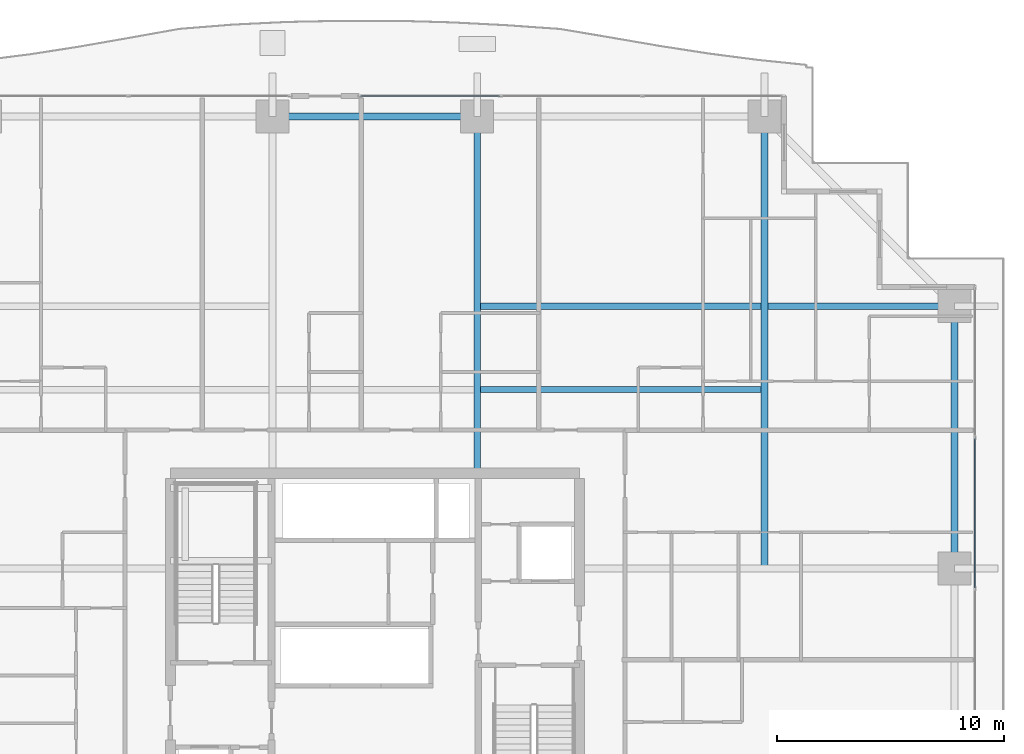
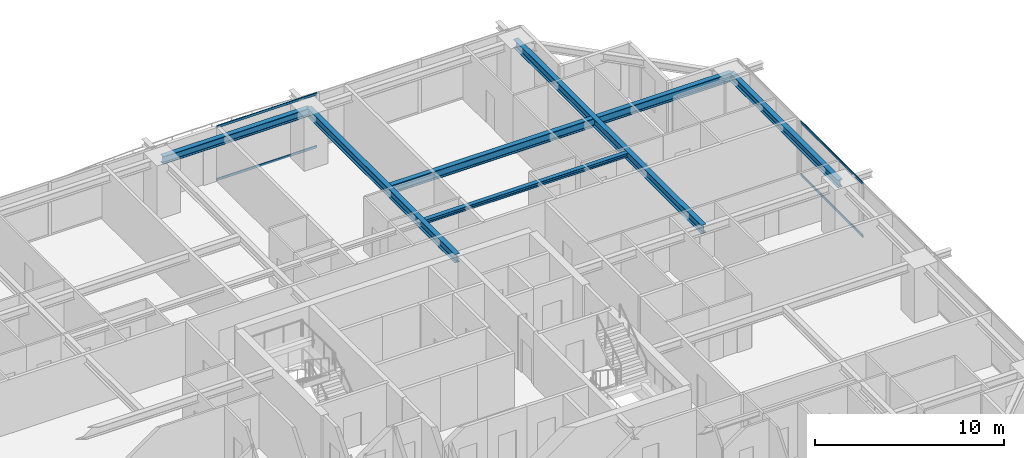
# One storey, part 18 of 34: 6 beams, 4 members, 2 elements without a shape of their own.
"""IFC4 building model written with IfcOpenShell, lengths in metres."""

from ifc_helpers import new_model, si_unit, direction, frame, origin, origin_2d, place, context, subcontext, project, spatial, hollow_rectangle, i_section, extrude, source, transform, mapped, material, layer, layer_set, material_profile, profile_set, type_object, element, aggregate, save


model = new_model("IFC4")

# Units and contexts
model_context = context("Model", 3, precision=1e-05, world=origin(), true_north=direction((0.0, 1.0)))
body_context = subcontext(model_context, "Body", "Model", "MODEL_VIEW")
ifc_project = project(units=[si_unit("LENGTHUNIT", "METRE"), si_unit("AREAUNIT", "SQUARE_METRE"), si_unit("VOLUMEUNIT", "CUBIC_METRE"), si_unit("PLANEANGLEUNIT", "RADIAN"), si_unit("MASSUNIT", "GRAM", prefix="KILO")], contexts=[model_context])

# Site, building, storey
site_placement = place(None, origin())
site = spatial("IfcSite", under=ifc_project, at=site_placement, CompositionType="ELEMENT")
building_placement = place(site_placement, origin())
building = spatial("IfcBuilding", under=site, at=building_placement, Name="Serunith Strait Residences", CompositionType="ELEMENT")
storey_placement = place(building_placement, frame((0.0, 0.0, 101.699951171875)))
storey = spatial("IfcBuildingStorey", under=building, at=storey_placement, Name="L25", CompositionType="ELEMENT", Elevation=101.699951171875)

# Beams
ifc_material_1 = material(Name="Steel S355J2", Category="steel")
ifc_material_profile_1 = material_profile(ifc_material_1, i_section(OverallWidth=0.300048828125, OverallDepth=0.550048828125, WebThickness=0.014892578125, FlangeThickness=0.029052734375, FilletRadius=0.027099609375, at=origin_2d()), Name="HEB 550")
ifc_profile_set_1 = profile_set([ifc_material_profile_1], Name="Steel S355J2")
beam_type_1 = type_object("IfcBeamType", Name="BM-HEB550", PredefinedType="BEAM", material=ifc_profile_set_1)
shared_shape_1 = source(origin(), body_context, "Body", "SweptSolid", [
    extrude(i_section(OverallWidth=0.300048828125, OverallDepth=0.550048828125, WebThickness=0.014892578125, FlangeThickness=0.029052734375, FilletRadius=0.027099609375, at=origin_2d()), origin(), (0.0, 0.0, 1.0), 15.699951171875),
])
beam_1_placement = place(storey_placement, frame((36.89990234375, 33.60009765625, 3.212158203125), z_axis=(0.0, 1.0, 0.0), x_axis=(-1.0, 0.0, 0.0)))
element("IfcBeam", 1, at=beam_1_placement, inside=storey, type_object=beam_type_1, Name="L25 Primary Floor Girder TC-N3", PredefinedType="BEAM", context=body_context, shape_type="MappedRepresentation", body=[
    mapped(shared_shape_1, transform((0.0, 0.0, 0.0), scale=1.0)),
])
shared_shape_2 = source(origin(), body_context, "Body", "SweptSolid", [
    extrude(i_section(OverallWidth=0.300048828125, OverallDepth=0.550048828125, WebThickness=0.014892578125, FlangeThickness=0.029052734375, FilletRadius=0.027099609375, at=origin_2d()), origin(), (0.0, 0.0, 1.0), 19.900146484375),
])
beam_2_placement = place(storey_placement, frame((49.550048828125, 29.39990234375, 3.212158203125), z_axis=(0.0, 1.0, 0.0), x_axis=(-1.0, 0.0, 0.0)))
element("IfcBeam", 2, at=beam_2_placement, inside=storey, type_object=beam_type_1, Name="L25 Orthogonal Corner Girder TC-N4", PredefinedType="BEAM", context=body_context, shape_type="MappedRepresentation", body=[
    mapped(shared_shape_2, transform((0.0, 0.0, 0.0), scale=1.0)),
])
shared_shape_3 = source(origin(), body_context, "Body", "SweptSolid", [
    extrude(i_section(OverallWidth=0.300048828125, OverallDepth=0.550048828125, WebThickness=0.014892578125, FlangeThickness=0.029052734375, FilletRadius=0.027099609375, at=origin_2d()), origin(), (0.0, 0.0, 1.0), 21.0),
])
beam_3_placement = place(storey_placement, frame((36.89990234375, 40.949951171875, 3.212158203125), z_axis=(1.0, 0.0, 0.0), x_axis=(0.0, 1.0, 0.0)))
element("IfcBeam", 3, at=beam_3_placement, inside=storey, type_object=beam_type_1, Name="L25 Orthogonal Corner Girder TC-E4", PredefinedType="BEAM", context=body_context, shape_type="MappedRepresentation", body=[
    mapped(shared_shape_3, transform((0.0, 0.0, 0.0), scale=1.0)),
])
ifc_material_profile_2 = material_profile(ifc_material_1, i_section(OverallWidth=0.300048828125, OverallDepth=0.5, WebThickness=0.014404296875, FlangeThickness=0.028076171875, FilletRadius=0.027099609375, at=origin_2d()), Name="HEB 500")
ifc_profile_set_2 = profile_set([ifc_material_profile_2], Name="Steel S355J2")
beam_type_2 = type_object("IfcBeamType", Name="BM-HEB500", PredefinedType="BEAM", material=ifc_profile_set_2)
shared_shape_4 = source(origin(), body_context, "Body", "SweptSolid", [
    extrude(i_section(OverallWidth=0.300048828125, OverallDepth=0.5, WebThickness=0.014404296875, FlangeThickness=0.028076171875, FilletRadius=0.027099609375, at=origin_2d()), origin(), (0.0, 0.0, 1.0), 9.0),
])
beam_4_placement = place(storey_placement, frame((36.89990234375, 49.300048828125, 3.237060546875), z_axis=(-1.0, 0.0, 0.0), x_axis=(0.0, -1.0, 0.0)))
element("IfcBeam", 4, at=beam_4_placement, inside=storey, type_object=beam_type_2, Name="L25 Perimeter Ring Beam 10", PredefinedType="BEAM", context=body_context, shape_type="MappedRepresentation", body=[
    mapped(shared_shape_4, transform((0.0, 0.0, 0.0), scale=1.0)),
])
shared_shape_5 = source(origin(), body_context, "Body", "SweptSolid", [
    extrude(i_section(OverallWidth=0.300048828125, OverallDepth=0.5, WebThickness=0.014404296875, FlangeThickness=0.028076171875, FilletRadius=0.027099609375, at=origin_2d()), origin(), (0.0, 0.0, 1.0), 11.550048828125),
])
beam_5_placement = place(storey_placement, frame((57.89990234375, 29.39990234375, 3.237060546875), z_axis=(0.0, 1.0, 0.0), x_axis=(-1.0, 0.0, 0.0)))
element("IfcBeam", 5, at=beam_5_placement, inside=storey, type_object=beam_type_2, Name="L25 Perimeter Ring Beam 07", PredefinedType="BEAM", context=body_context, shape_type="MappedRepresentation", body=[
    mapped(shared_shape_5, transform((0.0, 0.0, 0.0), scale=1.0)),
])
ifc_material_profile_3 = material_profile(ifc_material_1, i_section(OverallWidth=0.260009765625, OverallDepth=0.260009765625, WebThickness=0.010009765625, FlangeThickness=0.017578125, FilletRadius=0.02392578125, at=origin_2d()), Name="HEB 260")
ifc_profile_set_3 = profile_set([ifc_material_profile_3], Name="Steel S355J2")
beam_type_3 = type_object("IfcBeamType", Name="BM-HEB260", PredefinedType="JOIST", material=ifc_profile_set_3)
shared_shape_6 = source(origin(), body_context, "Body", "SweptSolid", [
    extrude(i_section(OverallWidth=0.260009765625, OverallDepth=0.260009765625, WebThickness=0.010009765625, FlangeThickness=0.017578125, FilletRadius=0.02392578125, at=origin_2d()), origin(), (0.0, 0.0, 1.0), 12.349853515625),
])
beam_6_placement = place(storey_placement, frame((37.050048828125, 37.27490234375, 3.35693359375), z_axis=(1.0, 0.0, 0.0), x_axis=(0.0, 1.0, 0.0)))
element("IfcBeam", 6, at=beam_6_placement, inside=storey, type_object=beam_type_3, Name="L25 Composite Floor Joist 06", PredefinedType="JOIST", context=body_context, shape_type="MappedRepresentation", body=[
    mapped(shared_shape_6, transform((0.0, 0.0, 0.0), scale=1.0)),
])

# Curtain wall, members
ifc_material_2 = material(Name="Pale-Champagne Anodised Aluminium", Category="aluminium")
ifc_layer = layer(ifc_material_2, 0.199951171875, Name="Pale-Champagne Anodised Aluminium")
ifc_layer_set = layer_set([ifc_layer], Name="Pale-Champagne Anodised Aluminium")
curtain_wall_type = type_object("IfcCurtainWallType", Name="CW-SYS1", PredefinedType="NOTDEFINED", material=ifc_layer_set)
curtain_wall_1_placement = place(storey_placement, origin())
curtain_wall_1 = element("IfcCurtainWall", 7, at=curtain_wall_1_placement, inside=storey, type_object=curtain_wall_type, Name="L25 E Unitised Fritted Curtain Wall", PredefinedType="NOTDEFINED")
ifc_material_profile_4 = material_profile(ifc_material_2, hollow_rectangle(XDim=0.06005859375, YDim=0.159912109375, WallThickness=0.00341796875, InnerFilletRadius=0.00537109375, OuterFilletRadius=0.0087890625, at=origin_2d()), Name="ALU 160x60x3.5")
ifc_profile_set_4 = profile_set([ifc_material_profile_4], Name="Pale-Champagne Anodised Aluminium")
member_type = type_object("IfcMemberType", Name="CW-SYS1-TRAN", PredefinedType="USERDEFINED", material=ifc_profile_set_4)
shared_shape_7 = source(origin(), body_context, "Body", "SweptSolid", [
    extrude(hollow_rectangle(XDim=0.06005859375, YDim=0.159912109375, WallThickness=0.00341796875, InnerFilletRadius=0.00537109375, OuterFilletRadius=0.0087890625, at=origin_2d()), origin(), (0.0, 0.0, 1.0), 6.570068359375),
])
member_1_placement = place(storey_placement, frame((58.800048828125, 28.554931640625, 0.030029296875), z_axis=(0.0, 1.0, 0.0), x_axis=(-1.0, 0.0, 0.0)))
member_1 = element("IfcMember", 8, at=member_1_placement, type_object=member_type, Name="CW-1 transom 4.1", ObjectType="TRANSOM", PredefinedType="USERDEFINED", context=body_context, shape_type="MappedRepresentation", body=[
    mapped(shared_shape_7, transform((0.0, 0.0, 0.0), scale=1.0)),
])
member_2_placement = place(storey_placement, frame((58.800048828125, 28.554931640625, 3.445068359375), z_axis=(0.0, 1.0, 0.0), x_axis=(-1.0, 0.0, 0.0)))
member_2 = element("IfcMember", 9, at=member_2_placement, type_object=member_type, Name="CW-1 transom 4.2", ObjectType="TRANSOM", PredefinedType="USERDEFINED", context=body_context, shape_type="MappedRepresentation", body=[
    mapped(shared_shape_7, transform((0.0, 0.0, 0.0), scale=1.0)),
])
aggregate(curtain_wall_1, [member_1, member_2])

curtain_wall_2_placement = place(storey_placement, origin())
curtain_wall_2 = element("IfcCurtainWall", 10, at=curtain_wall_2_placement, inside=storey, type_object=curtain_wall_type, Name="L25 N Unitised Fritted Curtain Wall", PredefinedType="NOTDEFINED")
shared_shape_8 = source(origin(), body_context, "Body", "SweptSolid", [
    extrude(hollow_rectangle(XDim=0.06005859375, YDim=0.159912109375, WallThickness=0.00341796875, InnerFilletRadius=0.00537109375, OuterFilletRadius=0.0087890625, at=origin_2d()), origin(), (0.0, 0.0, 1.0), 6.12841796875),
])
member_3_placement = place(storey_placement, frame((37.8984375, 50.199951171875, 0.030029296875), z_axis=(-1.0, 0.0, 0.0), x_axis=(0.0, -1.0, 0.0)))
member_3 = element("IfcMember", 11, at=member_3_placement, type_object=member_type, Name="CW-1 transom 3.1", ObjectType="TRANSOM", PredefinedType="USERDEFINED", context=body_context, shape_type="MappedRepresentation", body=[
    mapped(shared_shape_8, transform((0.0, 0.0, 0.0), scale=1.0)),
])
member_4_placement = place(storey_placement, frame((37.8984375, 50.199951171875, 3.445068359375), z_axis=(-1.0, 0.0, 0.0), x_axis=(0.0, -1.0, 0.0)))
member_4 = element("IfcMember", 12, at=member_4_placement, type_object=member_type, Name="CW-1 transom 3.2", ObjectType="TRANSOM", PredefinedType="USERDEFINED", context=body_context, shape_type="MappedRepresentation", body=[
    mapped(shared_shape_8, transform((0.0, 0.0, 0.0), scale=1.0)),
])
aggregate(curtain_wall_2, [member_3, member_4])

save(model, "model.ifc")
